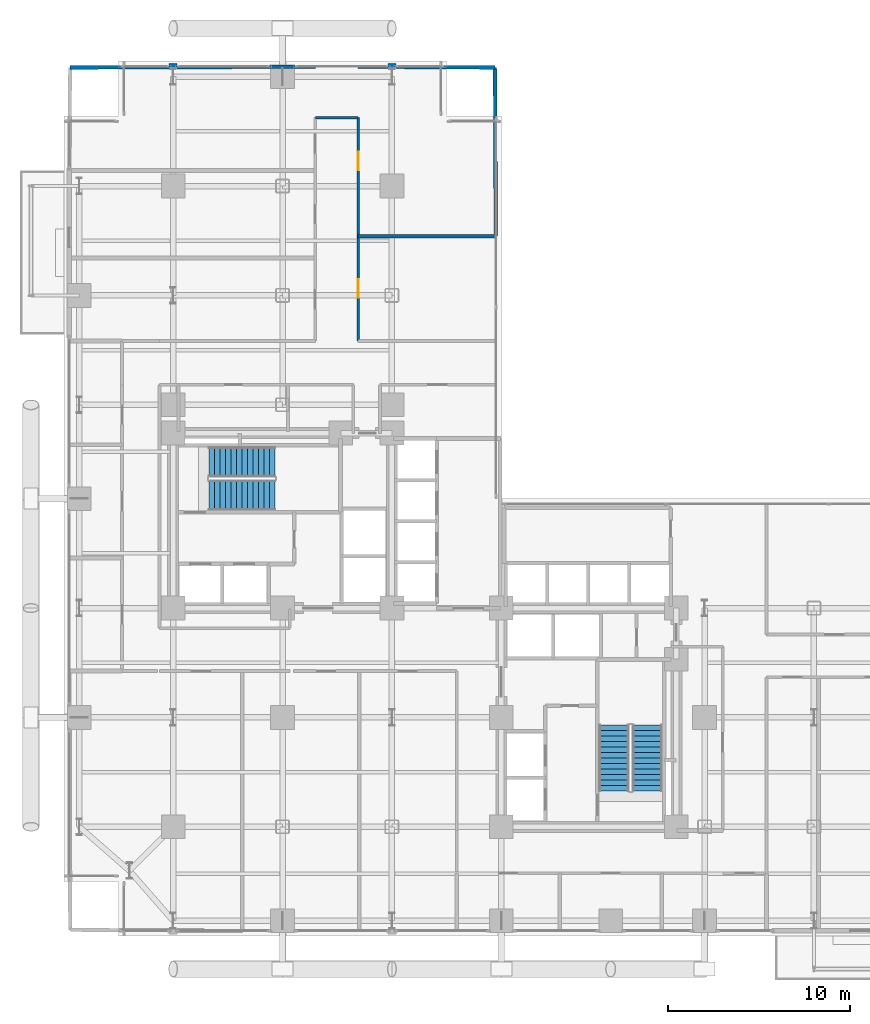
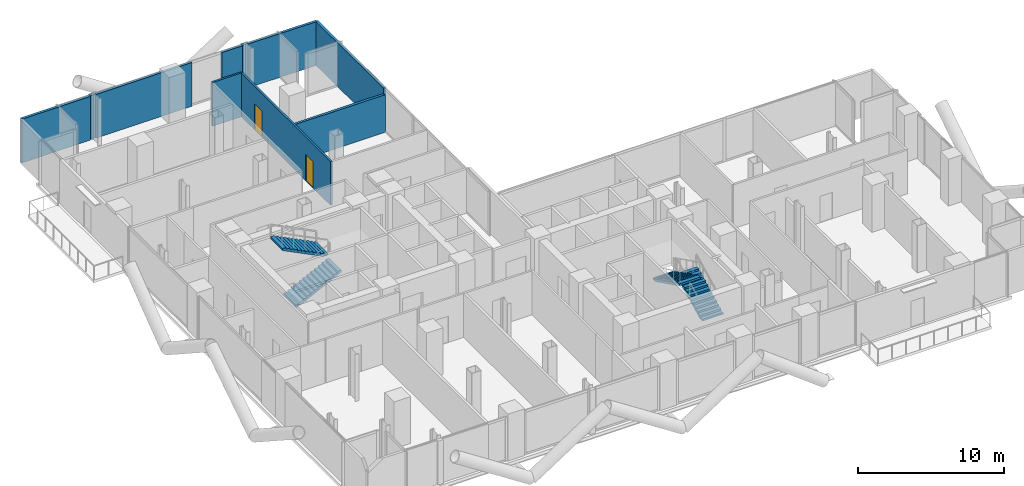
# One storey, part 24 of 27: 10 walls, 4 stair flights, 2 doors, 2 openings, 2 elements without a shape of their own.
"""IFC4 building model written with IfcOpenShell, lengths in metres."""

from ifc_helpers import new_model, si_unit, direction, frame, frame_2d, origin, place, context, subcontext, project, spatial, polyline, rectangle, outline, extrude, material, layer, layer_set, type_object, element, fill, aggregate, save


model = new_model("IFC4")

# Units and contexts
model_context = context("Model", 3, precision=1e-05, world=origin(), true_north=direction((0.0, 1.0)))
body_context = subcontext(model_context, "Body", "Model", "MODEL_VIEW")
ifc_project = project(units=[si_unit("LENGTHUNIT", "METRE"), si_unit("AREAUNIT", "SQUARE_METRE"), si_unit("VOLUMEUNIT", "CUBIC_METRE"), si_unit("PLANEANGLEUNIT", "RADIAN"), si_unit("MASSUNIT", "GRAM", prefix="KILO"), si_unit("THERMODYNAMICTEMPERATUREUNIT", "KELVIN"), si_unit("POWERUNIT", "WATT")], contexts=[model_context])

# Site, building, storey
site_placement = place(None, origin())
site = spatial("IfcSite", under=ifc_project, at=site_placement, CompositionType="ELEMENT")
building_placement = place(site_placement, origin())
building = spatial("IfcBuilding", under=site, at=building_placement, Name="Svarakhadi Broadcast Tower", CompositionType="ELEMENT")
storey_placement = place(building_placement, frame((0.0, 0.0, 75.300048828125)))
storey = spatial("IfcBuildingStorey", under=building, at=storey_placement, Name="L17", CompositionType="ELEMENT", Elevation=75.300048828125)

# Walls
ifc_material_1 = material(Name="Double-Stud Acoustic Studio Partition STC-62", Category="gypsum")
ifc_layer_1 = layer(ifc_material_1, 0.199951171875)
ifc_layer_set_1 = layer_set([ifc_layer_1], Name="Double-Stud Acoustic Studio Partition STC-62")
wall_type_1 = type_object("IfcWallType", Name="Wall_Acoust_200", PredefinedType="PARTITIONING", material=ifc_layer_set_1)
wall_1_placement = place(storey_placement, frame((0.35009765625, 47.64990234375, 0.0), z_axis=(0.0, 0.0, 1.0), x_axis=(0.99999304924, 0.003728467862, 0.0)))
element("IfcWall", 1, at=wall_1_placement, inside=storey, type_object=wall_type_1, Name="L17 Crew Locker Store Wall", PredefinedType="PARTITIONING", context=body_context, shape_type="SweptSolid", body=[
    extrude(rectangle(XDim=5.434814453125, YDim=0.199951171875, at=frame_2d((2.71728515625, 0.0))), origin(), (0.0, 0.0, 1.0), 3.64990234375),
])
wall_2_placement = place(storey_placement, frame((6.215087890625, 47.671875, 0.0), z_axis=(0.0, 0.0, 1.0), x_axis=(0.999993149305, 0.003701532515, 0.0)))
element("IfcWall", 2, at=wall_2_placement, inside=storey, type_object=wall_type_1, Name="L17 Crew Locker Store Wall", PredefinedType="PARTITIONING", context=body_context, shape_type="SweptSolid", body=[
    extrude(rectangle(XDim=7.5849609375, YDim=0.199951171875, at=frame_2d((3.79248046875, 0.0))), origin(), (0.0, 0.0, 1.0), 3.64990234375),
])
wall_3_placement = place(storey_placement, frame((16.14990234375, 38.39990234375, 0.0), z_axis=(0.0, 0.0, 1.0), x_axis=(1.0, 0.0, 0.0)))
element("IfcWall", 3, at=wall_3_placement, inside=storey, type_object=wall_type_1, Name="L17 Mindfulness and Yoga Studio Wall", PredefinedType="PARTITIONING", context=body_context, shape_type="SweptSolid", body=[
    extrude(rectangle(XDim=7.550048828125, YDim=0.199951171875, at=frame_2d((3.77490234375, 0.0))), origin(), (0.0, 0.0, 1.0), 3.141845703125),
])
wall_4_placement = place(storey_placement, frame((16.14990234375, 47.699951171875, 0.0), z_axis=(0.0, 0.0, 1.0), x_axis=(0.999978417552, -0.006569964219, 0.0)))
element("IfcWall", 4, at=wall_4_placement, inside=storey, type_object=wall_type_1, Name="L17 Staff Shower Room Wall", PredefinedType="PARTITIONING", context=body_context, shape_type="SweptSolid", body=[
    extrude(rectangle(XDim=1.635009765625, YDim=0.199951171875, at=frame_2d((0.8173828125, 0.0))), origin(), (0.0, 0.0, 1.0), 3.64990234375),
])
wall_5_placement = place(storey_placement, frame((18.215087890625, 47.686279296875, 0.0), z_axis=(0.0, 0.0, 1.0), x_axis=(0.999977600485, -0.006693170229, 0.0)))
element("IfcWall", 5, at=wall_5_placement, inside=storey, type_object=wall_type_1, Name="L17 Staff Shower Room Wall", PredefinedType="PARTITIONING", context=body_context, shape_type="SweptSolid", body=[
    extrude(rectangle(XDim=5.434814453125, YDim=0.199951171875, at=frame_2d((2.71728515625, 0.0))), origin(), (0.0, 0.0, 1.0), 3.64990234375),
])
wall_6_placement = place(storey_placement, frame((23.699951171875, 38.39990234375, 0.0), z_axis=(0.0, 0.0, 1.0), x_axis=(-0.005410604923, 0.99998536257, 0.0)))
element("IfcWall", 6, at=wall_6_placement, inside=storey, type_object=wall_type_1, Name="L17 Staff Shower Room Wall", PredefinedType="PARTITIONING", context=body_context, shape_type="SweptSolid", body=[
    extrude(rectangle(XDim=9.250244140625, YDim=0.199951171875, at=frame_2d((4.625, 0.0))), origin(), (0.0, 0.0, 1.0), 3.64990234375),
])
ifc_material_2 = material(Name="Concrete C40/50 (IS 456 M50)", Category="concrete")
ifc_layer_2 = layer(ifc_material_2, 0.239990234375)
ifc_layer_set_2 = layer_set([ifc_layer_2], Name="Concrete C40/50 (IS 456 M50)")
wall_type_2 = type_object("IfcWallType", Name="Wall_Ext_240", PredefinedType="SOLIDWALL", material=ifc_layer_set_2)
for number, where, z_axis, x_axis, name in (
    (7, (5.784912109375, 47.760009765625, 0.0), (0.0, 0.0, 1.0), (1.0, 0.0, 0.0), "L17 Perimeter Bronze Spandrel Closure Wall 01"),
    (8, (17.784912109375, 47.760009765625, 0.0), (0.0, 0.0, 1.0), (1.0, 0.0, 0.0), "L17 Perimeter Bronze Spandrel Closure Wall 02"),
):
    element("IfcWall", number, at=place(storey_placement, frame(where, z_axis=z_axis, x_axis=x_axis)), inside=storey, type_object=wall_type_2, Name=name, PredefinedType="SOLIDWALL", context=body_context, shape_type="SweptSolid", body=[
        extrude(rectangle(XDim=0.43017578125, YDim=0.239990234375, at=frame_2d((0.215087890625, 0.0))), origin(), (0.0, 0.0, 1.0), 3.64990234375),
    ])
ifc_material_3 = material(Name="Autoclaved Aerated Concrete Blockwork 150 mm", Category="masonry")
ifc_layer_3 = layer(ifc_material_3, 0.14990234375)
ifc_layer_set_3 = layer_set([ifc_layer_3], Name="Autoclaved Aerated Concrete Blockwork 150 mm")
wall_type_3 = type_object("IfcWallType", Name="Wall_Part_150", PredefinedType="PARTITIONING", material=ifc_layer_set_3)
wall_7_placement = place(storey_placement, frame((13.800048828125, 44.89990234375, 0.0), z_axis=(0.0, 0.0, 1.0), x_axis=(1.0, 0.0, 0.0)))
element("IfcWall", 9, at=wall_7_placement, inside=storey, type_object=wall_type_3, Name="L17 Broadcast Corridor Wall", PredefinedType="PARTITIONING", context=body_context, shape_type="SweptSolid", body=[
    extrude(rectangle(XDim=2.349853515625, YDim=0.14990234375, at=frame_2d((1.1748046875, 0.0))), origin(), (0.0, 0.0, 1.0), 3.64990234375),
])

# Wall, openings, doors
wall_8_placement = place(storey_placement, frame((16.14990234375, 44.89990234375, 0.0), z_axis=(0.0, 0.0, 1.0), x_axis=(0.0, -1.0, 0.0)))
wall_8 = element("IfcWall", 10, at=wall_8_placement, inside=storey, type_object=wall_type_3, Name="L17 Broadcast Corridor Wall", PredefinedType="PARTITIONING", context=body_context, shape_type="SweptSolid", body=[
    extrude(rectangle(XDim=12.25, YDim=0.14990234375, at=frame_2d((6.125, 0.0))), origin(), (0.0, 0.0, 1.0), 3.64990234375),
])
opening_1_placement = place(wall_8_placement, frame((8.875, 0.0, 0.0)))
opening_1 = element("IfcOpeningElement", 11, at=opening_1_placement, cuts=wall_8, Name="Opening D-09", PredefinedType="OPENING", context=body_context, shape_type="SweptSolid", body=[
    extrude(rectangle(XDim=1.0, YDim=2.199951171875, at=frame_2d((0.5, 1.10009765625))), frame((0.0, 0.0849609375, 0.0), z_axis=(0.0, -1.0, 0.0), x_axis=(1.0, 0.0, 0.0)), (0.0, 0.0, 1.0), 0.169921875),
])
opening_2_placement = place(wall_8_placement, frame((1.8798828125, 0.0, 0.0)))
opening_2 = element("IfcOpeningElement", 12, at=opening_2_placement, cuts=wall_8, Name="Opening D-08", PredefinedType="OPENING", context=body_context, shape_type="SweptSolid", body=[
    extrude(rectangle(XDim=1.0, YDim=2.199951171875, at=frame_2d((0.5, 1.10009765625))), frame((0.0, 0.0849609375, 0.0), z_axis=(0.0, -1.0, 0.0), x_axis=(1.0, 0.0, 0.0)), (0.0, 0.0, 1.0), 0.169921875),
])
ifc_material_4 = material(Name="Solid-Core Teak Veneer Acoustic Timber Leaf", Category="wood")
door_type_1 = type_object("IfcDoorType", Name="Door_Suite_D08", OperationType="SINGLE_SWING_LEFT", PredefinedType="DOOR", material=ifc_material_4)
door_1_placement = place(opening_2_placement, origin())
door_1 = element("IfcDoor", 13, at=door_1_placement, inside=storey, type_object=door_type_1, Name="L17 Staff Shower Room Door", OperationType="SINGLE_SWING_LEFT", OverallHeight=2.199951171875, OverallWidth=1.0, PredefinedType="DOOR", context=body_context, shape_type="SweptSolid", body=[
    extrude(rectangle(XDim=1.0, YDim=2.199951171875, at=frame_2d((0.5, 1.10009765625))), frame((0.0, 0.02490234375, 0.0), z_axis=(0.0, -1.0, 0.0), x_axis=(1.0, 0.0, 0.0)), (0.0, 0.0, 1.0), 0.050048828125),
])
fill(opening_2, door_1)
door_type_2 = type_object("IfcDoorType", Name="Door_Suite_D09", OperationType="SINGLE_SWING_RIGHT", PredefinedType="DOOR", material=ifc_material_4)
door_2_placement = place(opening_1_placement, origin())
door_2 = element("IfcDoor", 14, at=door_2_placement, inside=storey, type_object=door_type_2, Name="L17 Mindfulness and Yoga Studio Door", OperationType="SINGLE_SWING_RIGHT", OverallHeight=2.199951171875, OverallWidth=1.0, PredefinedType="DOOR", context=body_context, shape_type="SweptSolid", body=[
    extrude(rectangle(XDim=1.0, YDim=2.199951171875, at=frame_2d((0.5, 1.10009765625))), frame((0.0, 0.02490234375, 0.0), z_axis=(0.0, -1.0, 0.0), x_axis=(1.0, 0.0, 0.0)), (0.0, 0.0, 1.0), 0.050048828125),
])
fill(opening_1, door_2)

# Stair, stair flights
stair_type = type_object("IfcStairType", Name="Stair_Exit_Core", PredefinedType="HALF_TURN_STAIR", material=ifc_material_2)
stair_1_placement = place(storey_placement, origin())
stair_1 = element("IfcStair", 15, at=stair_1_placement, inside=storey, type_object=stair_type, Name="L17 West Core Protected Exit Stair ST-01", PredefinedType="HALF_TURN_STAIR")
stair_flight_type = type_object("IfcStairFlightType", Name="Flight_RC_1680", PredefinedType="STRAIGHT", material=ifc_material_2)
stair_flight_1_placement = place(storey_placement, frame((7.97998046875, 24.18994140625, 0.0), z_axis=(0.0, 0.0, 1.0), x_axis=(1.0, 0.0, 0.0)))
stair_flight_1 = element("IfcStairFlight", 16, at=stair_flight_1_placement, type_object=stair_flight_type, Name="ST-01 flight 1", NumberOfRisers=13, NumberOfTreads=12, PredefinedType="STRAIGHT", RiserHeight=0.15, TreadLength=0.3, context=body_context, shape_type="SweptSolid", body=[
    extrude(outline(polyline([(0.0, 0.0), (0.0, 0.14990234375), (0.300048828125, 0.14990234375), (0.300048828125, 0.300048828125), (0.60009765625, 0.300048828125), (0.60009765625, 0.449951171875), (0.89990234375, 0.449951171875), (0.89990234375, 0.60009765625), (1.199951171875, 0.60009765625), (1.199951171875, 0.75), (1.5, 0.75), (1.5, 0.89990234375), (1.800048828125, 0.89990234375), (1.800048828125, 1.050048828125), (2.10009765625, 1.050048828125), (2.10009765625, 1.199951171875), (2.39990234375, 1.199951171875), (2.39990234375, 1.35009765625), (2.699951171875, 1.35009765625), (2.699951171875, 1.5), (3.0, 1.5), (3.0, 1.64990234375), (3.300048828125, 1.64990234375), (3.300048828125, 1.800048828125), (3.60009765625, 1.800048828125), (3.60009765625, 1.949951171875), (3.60009765625, 1.63232421875), (0.335205078125, 0.0), (0.0, 0.0)])), frame((0.0, 0.830078125, 0.0), z_axis=(0.0, -1.0, 0.0), x_axis=(1.0, 0.0, 0.0)), (0.0, 0.0, 1.0), 1.659912109375),
])
stair_flight_2_placement = place(storey_placement, frame((11.580078125, 26.010009765625, 1.949951171875), z_axis=(0.0, 0.0, 1.0), x_axis=(-1.0, 0.0, 0.0)))
stair_flight_2 = element("IfcStairFlight", 17, at=stair_flight_2_placement, type_object=stair_flight_type, Name="ST-01 flight 2", NumberOfRisers=13, NumberOfTreads=12, PredefinedType="STRAIGHT", RiserHeight=0.15, TreadLength=0.3, context=body_context, shape_type="SweptSolid", body=[
    extrude(outline(polyline([(0.0, 0.0), (0.0, 0.14990234375), (0.300048828125, 0.14990234375), (0.300048828125, 0.300048828125), (0.60009765625, 0.300048828125), (0.60009765625, 0.449951171875), (0.89990234375, 0.449951171875), (0.89990234375, 0.60009765625), (1.199951171875, 0.60009765625), (1.199951171875, 0.75), (1.5, 0.75), (1.5, 0.89990234375), (1.800048828125, 0.89990234375), (1.800048828125, 1.050048828125), (2.10009765625, 1.050048828125), (2.10009765625, 1.199951171875), (2.39990234375, 1.199951171875), (2.39990234375, 1.35009765625), (2.699951171875, 1.35009765625), (2.699951171875, 1.5), (3.0, 1.5), (3.0, 1.64990234375), (3.300048828125, 1.64990234375), (3.300048828125, 1.800048828125), (3.60009765625, 1.800048828125), (3.60009765625, 1.949951171875), (3.60009765625, 1.63232421875), (0.335205078125, 0.0), (0.0, 0.0)])), frame((0.0, 0.830078125, 0.0), z_axis=(0.0, -1.0, 0.0), x_axis=(1.0, 0.0, 0.0)), (0.0, 0.0, 1.0), 1.659912109375),
])
aggregate(stair_1, [stair_flight_1, stair_flight_2])

stair_2_placement = place(storey_placement, origin())
stair_2 = element("IfcStair", 18, at=stair_2_placement, inside=storey, type_object=stair_type, Name="L17 East Core Protected Exit Stair ST-02", PredefinedType="HALF_TURN_STAIR")
stair_flight_3_placement = place(storey_placement, frame((32.010009765625, 7.97998046875, 0.0), z_axis=(0.0, 0.0, 1.0), x_axis=(0.0, 1.0, 0.0)))
stair_flight_3 = element("IfcStairFlight", 19, at=stair_flight_3_placement, type_object=stair_flight_type, Name="ST-02 flight 1", NumberOfRisers=13, NumberOfTreads=12, PredefinedType="STRAIGHT", RiserHeight=0.15, TreadLength=0.3, context=body_context, shape_type="SweptSolid", body=[
    extrude(outline(polyline([(0.0, 0.0), (0.0, 0.14990234375), (0.300048828125, 0.14990234375), (0.300048828125, 0.300048828125), (0.60009765625, 0.300048828125), (0.60009765625, 0.449951171875), (0.89990234375, 0.449951171875), (0.89990234375, 0.60009765625), (1.199951171875, 0.60009765625), (1.199951171875, 0.75), (1.5, 0.75), (1.5, 0.89990234375), (1.800048828125, 0.89990234375), (1.800048828125, 1.050048828125), (2.10009765625, 1.050048828125), (2.10009765625, 1.199951171875), (2.39990234375, 1.199951171875), (2.39990234375, 1.35009765625), (2.699951171875, 1.35009765625), (2.699951171875, 1.5), (3.0, 1.5), (3.0, 1.64990234375), (3.300048828125, 1.64990234375), (3.300048828125, 1.800048828125), (3.60009765625, 1.800048828125), (3.60009765625, 1.949951171875), (3.60009765625, 1.63232421875), (0.335205078125, 0.0), (0.0, 0.0)])), frame((0.0, 0.830078125, 0.0), z_axis=(0.0, -1.0, 0.0), x_axis=(1.0, 0.0, 0.0)), (0.0, 0.0, 1.0), 1.659912109375),
])
stair_flight_4_placement = place(storey_placement, frame((30.18994140625, 11.580078125, 1.949951171875), z_axis=(0.0, 0.0, 1.0), x_axis=(0.0, -1.0, 0.0)))
stair_flight_4 = element("IfcStairFlight", 20, at=stair_flight_4_placement, type_object=stair_flight_type, Name="ST-02 flight 2", NumberOfRisers=13, NumberOfTreads=12, PredefinedType="STRAIGHT", RiserHeight=0.15, TreadLength=0.3, context=body_context, shape_type="SweptSolid", body=[
    extrude(outline(polyline([(0.0, 0.0), (0.0, 0.14990234375), (0.300048828125, 0.14990234375), (0.300048828125, 0.300048828125), (0.60009765625, 0.300048828125), (0.60009765625, 0.449951171875), (0.89990234375, 0.449951171875), (0.89990234375, 0.60009765625), (1.199951171875, 0.60009765625), (1.199951171875, 0.75), (1.5, 0.75), (1.5, 0.89990234375), (1.800048828125, 0.89990234375), (1.800048828125, 1.050048828125), (2.10009765625, 1.050048828125), (2.10009765625, 1.199951171875), (2.39990234375, 1.199951171875), (2.39990234375, 1.35009765625), (2.699951171875, 1.35009765625), (2.699951171875, 1.5), (3.0, 1.5), (3.0, 1.64990234375), (3.300048828125, 1.64990234375), (3.300048828125, 1.800048828125), (3.60009765625, 1.800048828125), (3.60009765625, 1.949951171875), (3.60009765625, 1.63232421875), (0.335205078125, 0.0), (0.0, 0.0)])), frame((0.0, 0.830078125, 0.0), z_axis=(0.0, -1.0, 0.0), x_axis=(1.0, 0.0, 0.0)), (0.0, 0.0, 1.0), 1.659912109375),
])
aggregate(stair_2, [stair_flight_3, stair_flight_4])

save(model, "model.ifc")
